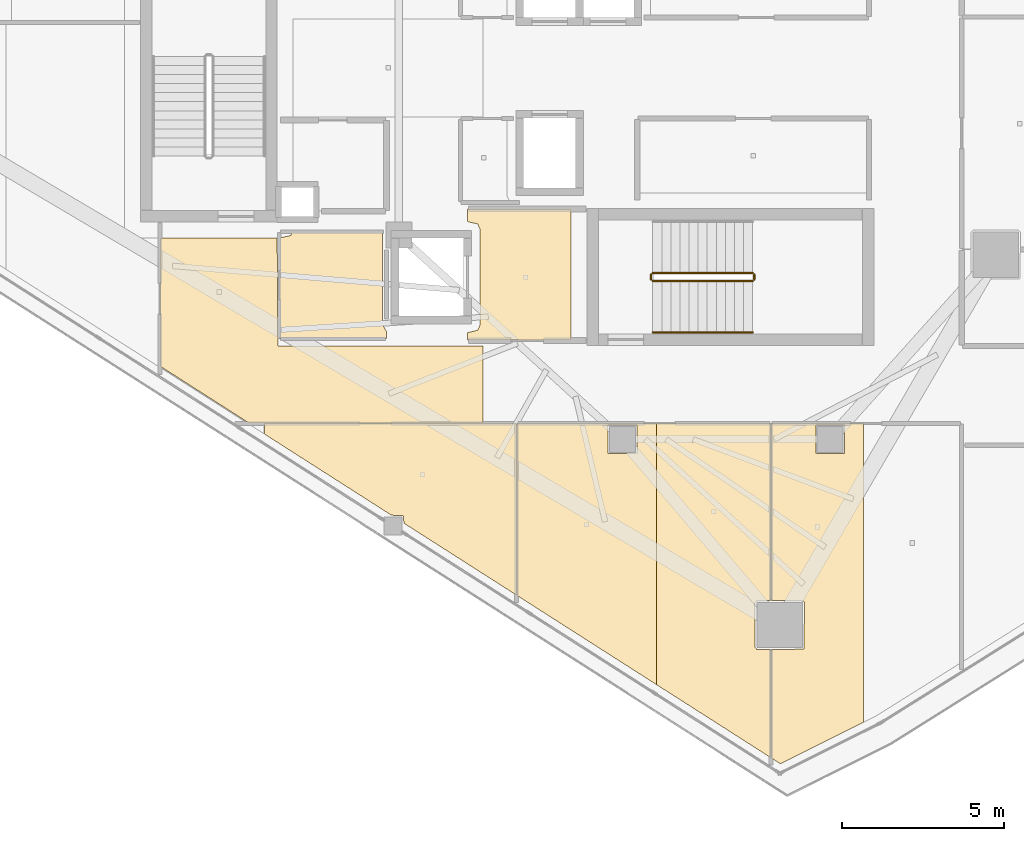
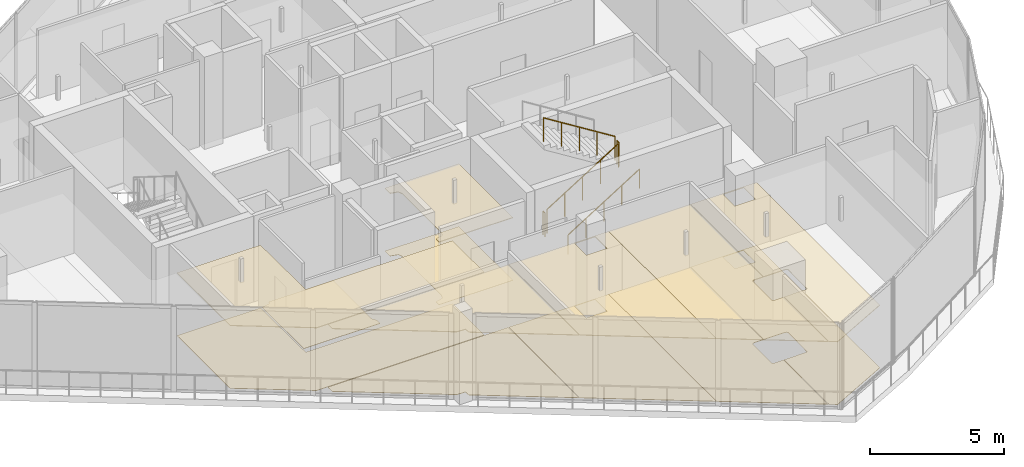
# One storey, part 19 of 23: 13 coverings, 5 railings.
"""IFC4 building model written with IfcOpenShell, lengths in metres."""

from ifc_helpers import new_model, si_unit, direction, frame, origin, origin_2d, place, context, subcontext, project, spatial, polyline, circle, outline, extrude, material, layer, layer_set, type_object, element, save


model = new_model("IFC4")

# Units and contexts
model_context = context("Model", 3, precision=1e-05, world=origin(), true_north=direction((0.0, 1.0)))
body_context = subcontext(model_context, "Body", "Model", "MODEL_VIEW")
ifc_project = project(units=[si_unit("LENGTHUNIT", "METRE"), si_unit("AREAUNIT", "SQUARE_METRE"), si_unit("VOLUMEUNIT", "CUBIC_METRE"), si_unit("PLANEANGLEUNIT", "RADIAN"), si_unit("MASSUNIT", "GRAM", prefix="KILO")], contexts=[model_context])

# Site, building, storey
site_placement = place(None, origin())
site = spatial("IfcSite", under=ifc_project, at=site_placement, CompositionType="ELEMENT")
building_placement = place(site_placement, origin())
building = spatial("IfcBuilding", under=site, at=building_placement, Name="Qorvath Tower", CompositionType="ELEMENT")
storey_placement = place(building_placement, frame((0.0, 0.0, 310.199951171875)))
storey = spatial("IfcBuildingStorey", under=building, at=storey_placement, Name="L72", CompositionType="ELEMENT", Elevation=310.199951171875)

# Coverings
ifc_material_1 = material(Name="Acoustic mineral fibre ceiling tile", Category="gypsum")
ifc_layer_1 = layer(ifc_material_1, 0.030029296875)
ifc_layer_set_1 = layer_set([ifc_layer_1], Name="COV-CEIL")
covering_type_1 = type_object("IfcCoveringType", Name="COV-CEIL", PredefinedType="CEILING", material=ifc_layer_set_1)
covering_1_placement = place(storey_placement, frame((0.0, 0.0, 2.85009765625)))
element("IfcCovering", 1, at=covering_1_placement, inside=storey, type_object=covering_type_1, Name="L72 Suspended Acoustic Ceiling 002", PredefinedType="CEILING", context=body_context, shape_type="SweptSolid", body=[
    extrude(outline(polyline([(-25.18994140625, -8.39501953125), (-25.18994140625, -4.35498046875), (-28.375, -4.35498046875), (-28.375, -4.739990234375), (-28.063232421875, -4.813232421875), (-27.989990234375, -4.989990234375), (-27.989990234375, -7.909912109375), (-28.063232421875, -8.086669921875), (-28.375, -8.159912109375), (-28.375, -8.39501953125), (-25.18994140625, -8.39501953125)])), origin(), (0.0, 0.0, 1.0), 0.030029296875),
])
covering_2_placement = place(storey_placement, frame((0.0, 0.0, 2.85009765625)))
element("IfcCovering", 2, at=covering_2_placement, inside=storey, type_object=covering_type_1, Name="L72 Suspended Acoustic Ceiling 011", PredefinedType="CEILING", context=body_context, shape_type="SweptSolid", body=[
    extrude(outline(polyline([(-34.22509765625, -8.580078125), (-34.251220703125, -5.239990234375), (-37.844970703125, -5.239990234375), (-37.844970703125, -9.205078125), (-35.12255859375, -10.945068359375), (-27.8984375, -10.945068359375), (-27.8984375, -8.575927734375), (-34.22509765625, -8.580078125)])), origin(), (0.0, 0.0, 1.0), 0.030029296875),
])
covering_3_placement = place(storey_placement, frame((0.0, 0.0, 2.85009765625)))
element("IfcCovering", 3, at=covering_3_placement, inside=storey, type_object=covering_type_1, Name="L72 Suspended Acoustic Ceiling 019", PredefinedType="CEILING", context=body_context, shape_type="SweptSolid", body=[
    extrude(outline(polyline([(-34.64501953125, -11.285888671875), (-30.72802734375, -13.789306640625), (-30.35986328125, -13.806884765625), (-30.34228515625, -14.035888671875), (-26.869873046875, -16.255126953125), (-26.869873046875, -10.962890625), (-34.64501953125, -10.962890625), (-34.64501953125, -11.285888671875)])), origin(), (0.0, 0.0, 1.0), 0.030029296875),
])
covering_4_placement = place(storey_placement, frame((0.0, 0.0, 2.85009765625)))
element("IfcCovering", 4, at=covering_4_placement, inside=storey, type_object=covering_type_1, Name="L72 Suspended Acoustic Ceiling 020", PredefinedType="CEILING", context=body_context, shape_type="SweptSolid", body=[
    extrude(outline(polyline([(-26.851806640625, -16.2666015625), (-22.550048828125, -19.01611328125), (-22.550048828125, -10.962890625), (-26.851806640625, -10.962890625), (-26.851806640625, -16.2666015625)]), holes=[polyline([(-24.04248046875, -11.892333984375), (-24.04248046875, -11.007568359375), (-23.157470703125, -11.007568359375), (-23.157470703125, -11.892333984375), (-24.04248046875, -11.892333984375)])]), origin(), (0.0, 0.0, 1.0), 0.030029296875),
])
covering_5_placement = place(storey_placement, frame((0.0, 0.0, 2.85009765625)))
element("IfcCovering", 5, at=covering_5_placement, inside=storey, type_object=covering_type_1, Name="L72 Suspended Acoustic Ceiling 021", PredefinedType="CEILING", context=body_context, shape_type="SweptSolid", body=[
    extrude(outline(polyline([(-22.550048828125, -10.962890625), (-22.550048828125, -19.01611328125), (-19.031982421875, -21.264404296875), (-19.031982421875, -17.935546875), (-19.45068359375, -17.935546875), (-19.510498046875, -17.87548828125), (-19.510498046875, -16.4755859375), (-19.45068359375, -16.41552734375), (-19.031982421875, -16.41552734375), (-19.031982421875, -10.962890625), (-22.550048828125, -10.962890625)])), origin(), (0.0, 0.0, 1.0), 0.030029296875),
])
covering_6_placement = place(storey_placement, frame((0.0, 0.0, 2.85009765625)))
element("IfcCovering", 6, at=covering_6_placement, inside=storey, type_object=covering_type_1, Name="L72 Suspended Acoustic Ceiling 022", PredefinedType="CEILING", context=body_context, shape_type="SweptSolid", body=[
    extrude(outline(polyline([(-16.174072265625, -20.173095703125), (-16.174072265625, -10.962890625), (-19.013916015625, -10.962890625), (-19.013916015625, -16.41552734375), (-18.050537109375, -16.41552734375), (-17.990478515625, -16.4755859375), (-18.008056640625, -17.91796875), (-19.013916015625, -17.935546875), (-19.013916015625, -21.276123046875), (-18.735595703125, -21.453857421875), (-16.174072265625, -20.173095703125)]), holes=[polyline([(-17.642333984375, -11.892333984375), (-17.642333984375, -11.007568359375), (-16.757568359375, -11.007568359375), (-16.757568359375, -11.892333984375), (-17.642333984375, -11.892333984375)])]), origin(), (0.0, 0.0, 1.0), 0.030029296875),
])
ifc_material_2 = material(Name="Low-VOC modular carpet tile", Category="textile")
ifc_layer_2 = layer(ifc_material_2, 0.014892578125)
ifc_layer_set_2 = layer_set([ifc_layer_2], Name="COV-FLOOR-CPT")
covering_type_2 = type_object("IfcCoveringType", Name="COV-FLOOR-CPT", PredefinedType="FLOORING", material=ifc_layer_set_2)
covering_7_placement = place(storey_placement, origin())
element("IfcCovering", 7, at=covering_7_placement, inside=storey, type_object=covering_type_2, Name="L72 Floor Finish 019", PredefinedType="FLOORING", context=body_context, shape_type="SweptSolid", body=[
    extrude(outline(polyline([(-34.64501953125, -11.285888671875), (-30.72802734375, -13.789306640625), (-30.35986328125, -13.806884765625), (-30.34228515625, -14.035888671875), (-26.869873046875, -16.255126953125), (-26.869873046875, -10.962890625), (-34.64501953125, -10.962890625), (-34.64501953125, -11.285888671875)])), origin(), (0.0, 0.0, 1.0), 0.01513671875),
])
covering_8_placement = place(storey_placement, origin())
element("IfcCovering", 8, at=covering_8_placement, inside=storey, type_object=covering_type_2, Name="L72 Floor Finish 020", PredefinedType="FLOORING", context=body_context, shape_type="SweptSolid", body=[
    extrude(outline(polyline([(-26.851806640625, -16.2666015625), (-22.550048828125, -19.01611328125), (-22.550048828125, -10.962890625), (-26.851806640625, -10.962890625), (-26.851806640625, -16.2666015625)]), holes=[polyline([(-24.04248046875, -11.892333984375), (-24.04248046875, -11.007568359375), (-23.157470703125, -11.007568359375), (-23.157470703125, -11.892333984375), (-24.04248046875, -11.892333984375)])]), origin(), (0.0, 0.0, 1.0), 0.01513671875),
])
covering_9_placement = place(storey_placement, origin())
element("IfcCovering", 9, at=covering_9_placement, inside=storey, type_object=covering_type_2, Name="L72 Floor Finish 021", PredefinedType="FLOORING", context=body_context, shape_type="SweptSolid", body=[
    extrude(outline(polyline([(-22.550048828125, -10.962890625), (-22.550048828125, -19.01611328125), (-19.031982421875, -21.264404296875), (-19.031982421875, -17.935546875), (-19.45068359375, -17.935546875), (-19.510498046875, -17.87548828125), (-19.510498046875, -16.4755859375), (-19.45068359375, -16.41552734375), (-19.031982421875, -16.41552734375), (-19.031982421875, -10.962890625), (-22.550048828125, -10.962890625)])), origin(), (0.0, 0.0, 1.0), 0.01513671875),
])
covering_10_placement = place(storey_placement, origin())
element("IfcCovering", 10, at=covering_10_placement, inside=storey, type_object=covering_type_2, Name="L72 Floor Finish 022", PredefinedType="FLOORING", context=body_context, shape_type="SweptSolid", body=[
    extrude(outline(polyline([(-16.174072265625, -20.173095703125), (-16.174072265625, -10.962890625), (-19.013916015625, -10.962890625), (-19.013916015625, -16.41552734375), (-18.050537109375, -16.41552734375), (-17.990478515625, -16.4755859375), (-18.008056640625, -17.91796875), (-19.013916015625, -17.935546875), (-19.013916015625, -21.276123046875), (-18.735595703125, -21.453857421875), (-16.174072265625, -20.173095703125)]), holes=[polyline([(-17.642333984375, -11.892333984375), (-17.642333984375, -11.007568359375), (-16.757568359375, -11.007568359375), (-16.757568359375, -11.892333984375), (-17.642333984375, -11.892333984375)])]), origin(), (0.0, 0.0, 1.0), 0.01513671875),
])
ifc_material_3 = material(Name="Polished epoxy terrazzo flooring", Category="concrete")
ifc_layer_3 = layer(ifc_material_3, 0.02001953125)
ifc_layer_set_3 = layer_set([ifc_layer_3], Name="COV-FLOOR-TRZ")
covering_type_3 = type_object("IfcCoveringType", Name="COV-FLOOR-TRZ", PredefinedType="FLOORING", material=ifc_layer_set_3)
covering_11_placement = place(storey_placement, origin())
element("IfcCovering", 11, at=covering_11_placement, inside=storey, type_object=covering_type_3, Name="L72 Floor Finish 002", PredefinedType="FLOORING", context=body_context, shape_type="SweptSolid", body=[
    extrude(outline(polyline([(-25.18994140625, -8.39501953125), (-25.18994140625, -4.35498046875), (-28.375, -4.35498046875), (-28.375, -4.739990234375), (-28.063232421875, -4.813232421875), (-27.989990234375, -4.989990234375), (-27.989990234375, -7.909912109375), (-28.063232421875, -8.086669921875), (-28.375, -8.159912109375), (-28.375, -8.39501953125), (-25.18994140625, -8.39501953125)])), origin(), (0.0, 0.0, 1.0), 0.01513671875),
])
covering_12_placement = place(storey_placement, origin())
element("IfcCovering", 12, at=covering_12_placement, inside=storey, type_object=covering_type_3, Name="L72 Floor Finish 008", PredefinedType="FLOORING", context=body_context, shape_type="SweptSolid", body=[
    extrude(outline(polyline([(-30.885009765625, -8.108154296875), (-31.010009765625, -7.909912109375), (-31.010009765625, -5.054931640625), (-33.786865234375, -5.054931640625), (-33.833251953125, -5.166748046875), (-34.175048828125, -5.239990234375), (-34.175048828125, -8.344970703125), (-30.885009765625, -8.344970703125), (-30.885009765625, -8.108154296875)])), origin(), (0.0, 0.0, 1.0), 0.01513671875),
])
covering_13_placement = place(storey_placement, origin())
element("IfcCovering", 13, at=covering_13_placement, inside=storey, type_object=covering_type_3, Name="L72 Floor Finish 011", PredefinedType="FLOORING", context=body_context, shape_type="SweptSolid", body=[
    extrude(outline(polyline([(-34.22509765625, -8.580078125), (-34.251220703125, -5.239990234375), (-37.844970703125, -5.239990234375), (-37.844970703125, -9.205078125), (-35.12255859375, -10.945068359375), (-27.8984375, -10.945068359375), (-27.8984375, -8.575927734375), (-34.22509765625, -8.580078125)])), origin(), (0.0, 0.0, 1.0), 0.01513671875),
])

# Railings
ifc_material_4 = material(Name="Painted galvanised steel", Category="steel")
railing_type_1 = type_object("IfcRailingType", Name="RL-STR-GRD", PredefinedType="GUARDRAIL", material=ifc_material_4)
railing_1_placement = place(storey_placement, frame((-22.669921875, -6.570068359375, 0.175048828125)))
element("IfcRailing", 14, at=railing_1_placement, inside=storey, type_object=railing_type_1, Name="L72 TS2 stair guard 1", PredefinedType="GUARDRAIL", context=body_context, shape_type="SweptSolid", body=[
    extrude(circle(Radius=0.02392578125, at=origin_2d()), frame((0.0, 0.0, 1.076171875), z_axis=(0.847979421464, 0.0, 0.530029150871), x_axis=(0.0, 1.0, 0.0)), (0.0, 0.0, 1.0), 3.632080078125),
    extrude(circle(Radius=0.02099609375, at=origin_2d()), origin(), (0.0, 0.0, 1.0), 1.052001953125),
    extrude(circle(Radius=0.02099609375, at=origin_2d()), frame((0.77001953125, 0.0, 0.481201171875)), (0.0, 0.0, 1.0), 1.052001953125),
    extrude(circle(Radius=0.02099609375, at=origin_2d()), frame((1.5400390625, 0.0, 0.96240234375)), (0.0, 0.0, 1.0), 1.052001953125),
    extrude(circle(Radius=0.02099609375, at=origin_2d()), frame((2.309814453125, 0.0, 1.44384765625)), (0.0, 0.0, 1.0), 1.052001953125),
    extrude(circle(Radius=0.02099609375, at=origin_2d()), frame((3.079833984375, 0.0, 1.925048828125)), (0.0, 0.0, 1.0), 1.052001953125),
])
railing_2_placement = place(storey_placement, frame((-19.5400390625, -6.52001953125, 2.10009765625)))
element("IfcRailing", 15, at=railing_2_placement, inside=storey, type_object=railing_type_1, Name="L72 TS2 stair guard 2", PredefinedType="GUARDRAIL", context=body_context, shape_type="SweptSolid", body=[
    extrude(circle(Radius=0.02392578125, at=origin_2d()), frame((0.0, 0.0, 1.076171875), z_axis=(0.0, 1.0, 0.0), x_axis=(-1.0, 0.0, 0.0)), (0.0, 0.0, 1.0), 0.14990234375),
    extrude(circle(Radius=0.02099609375, at=origin_2d()), origin(), (0.0, 0.0, 1.0), 1.052001953125),
    extrude(circle(Radius=0.02099609375, at=origin_2d()), frame((0.0, 0.14990234375, 0.0)), (0.0, 0.0, 1.0), 1.052001953125),
])
railing_3_placement = place(storey_placement, frame((-19.590087890625, -6.320068359375, 2.275146484375)))
element("IfcRailing", 16, at=railing_3_placement, inside=storey, type_object=railing_type_1, Name="L72 TS2 stair guard 3", PredefinedType="GUARDRAIL", context=body_context, shape_type="SweptSolid", body=[
    extrude(circle(Radius=0.02392578125, at=origin_2d()), frame((0.0, 0.0, 1.076171875), z_axis=(-0.848009633417, 0.0, 0.529980812513), x_axis=(0.0, -1.0, 0.0)), (0.0, 0.0, 1.0), 3.6318359375),
    extrude(circle(Radius=0.02099609375, at=origin_2d()), origin(), (0.0, 0.0, 1.0), 1.052001953125),
    extrude(circle(Radius=0.02099609375, at=origin_2d()), frame((-0.77001953125, 0.0, 0.481201171875)), (0.0, 0.0, 1.0), 1.052001953125),
    extrude(circle(Radius=0.02099609375, at=origin_2d()), frame((-1.5400390625, 0.0, 0.96240234375)), (0.0, 0.0, 1.0), 1.052001953125),
    extrude(circle(Radius=0.02099609375, at=origin_2d()), frame((-2.309814453125, 0.0, 1.443603515625)), (0.0, 0.0, 1.0), 1.052001953125),
    extrude(circle(Radius=0.02099609375, at=origin_2d()), frame((-3.079833984375, 0.0, 1.9248046875)), (0.0, 0.0, 1.0), 1.052001953125),
])
railing_4_placement = place(storey_placement, frame((-22.719970703125, -6.52001953125, 0.0)))
element("IfcRailing", 17, at=railing_4_placement, inside=storey, type_object=railing_type_1, Name="L72 TS2 stair guard 4", PredefinedType="GUARDRAIL", context=body_context, shape_type="SweptSolid", body=[
    extrude(circle(Radius=0.02392578125, at=origin_2d()), frame((0.0, 0.0, 1.076171875), z_axis=(0.0, 1.0, 0.0), x_axis=(-1.0, 0.0, 0.0)), (0.0, 0.0, 1.0), 0.14990234375),
    extrude(circle(Radius=0.02099609375, at=origin_2d()), origin(), (0.0, 0.0, 1.0), 1.052001953125),
    extrude(circle(Radius=0.02099609375, at=origin_2d()), frame((0.0, 0.14990234375, 0.0)), (0.0, 0.0, 1.0), 1.052001953125),
])
ifc_material_5 = material(Name="Brushed stainless steel AISI 304", Category="steel")
railing_type_2 = type_object("IfcRailingType", Name="RL-STR-HND", PredefinedType="HANDRAIL", material=ifc_material_5)
railing_5_placement = place(storey_placement, frame((-22.669921875, -8.14990234375, 0.175048828125)))
element("IfcRailing", 18, at=railing_5_placement, inside=storey, type_object=railing_type_2, Name="L72 TS2 stair handrail 1", PredefinedType="HANDRAIL", context=body_context, shape_type="SweptSolid", body=[
    extrude(circle(Radius=0.02392578125, at=origin_2d()), frame((0.0, 0.0, 0.8759765625), z_axis=(0.847979421464, 0.0, 0.530029150871), x_axis=(0.0, 1.0, 0.0)), (0.0, 0.0, 1.0), 3.632080078125),
    extrude(circle(Radius=0.02099609375, at=origin_2d()), origin(), (0.0, 0.0, 1.0), 0.851806640625),
    extrude(circle(Radius=0.02099609375, at=origin_2d()), frame((0.77001953125, 0.0, 0.481201171875)), (0.0, 0.0, 1.0), 0.851806640625),
    extrude(circle(Radius=0.02099609375, at=origin_2d()), frame((1.5400390625, 0.0, 0.96240234375)), (0.0, 0.0, 1.0), 0.851806640625),
    extrude(circle(Radius=0.02099609375, at=origin_2d()), frame((2.309814453125, 0.0, 1.44384765625)), (0.0, 0.0, 1.0), 0.851806640625),
    extrude(circle(Radius=0.02099609375, at=origin_2d()), frame((3.079833984375, 0.0, 1.925048828125)), (0.0, 0.0, 1.0), 0.851806640625),
])

save(model, "model.ifc")
